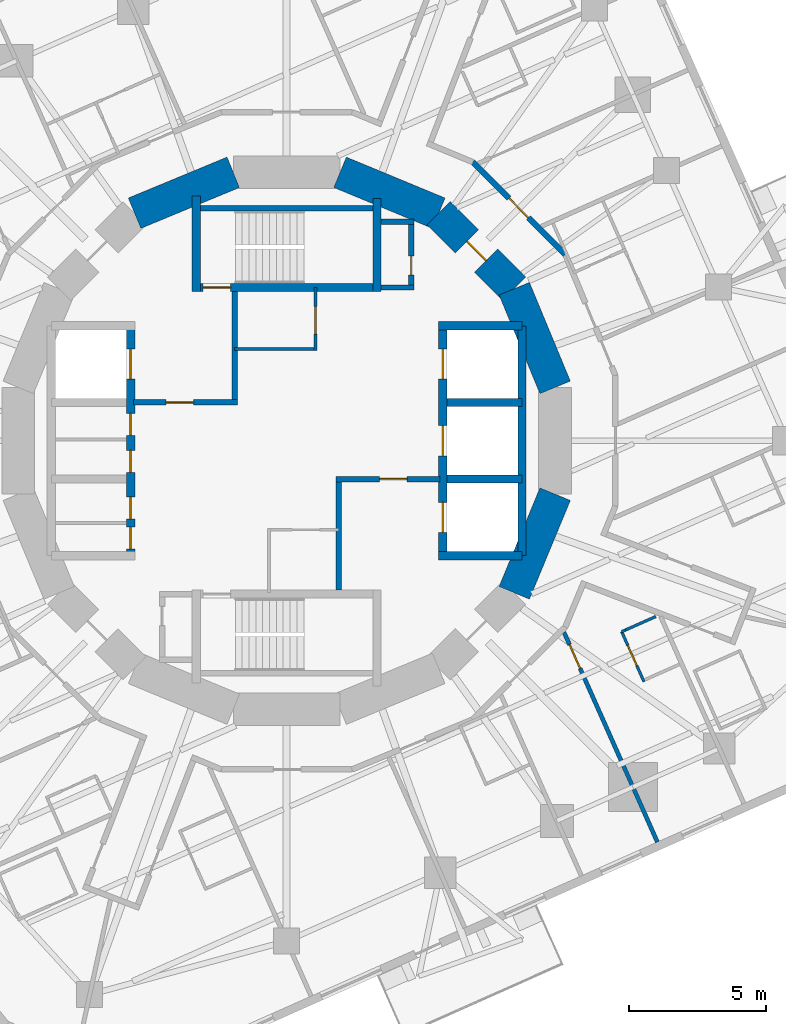
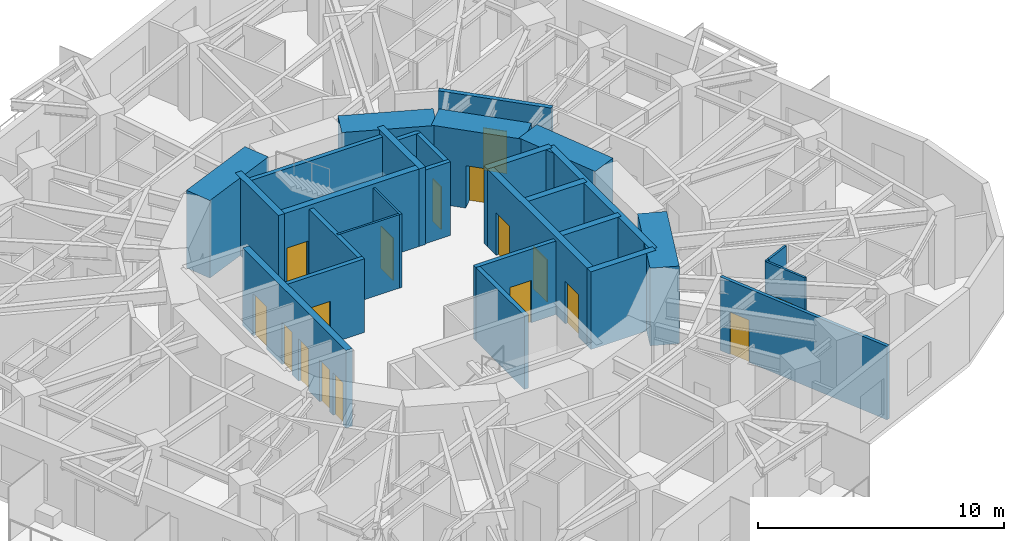
# One storey, part 7 of 12: 30 walls, 17 doors, 17 openings.
"""IFC4 building model written with IfcOpenShell, lengths in metres."""

from ifc_helpers import new_model, si_unit, direction, frame, frame_2d, origin, place, context, subcontext, project, spatial, rectangle, extrude, material, layer, layer_set, type_object, element, fill, save


model = new_model("IFC4")

# Units and contexts
model_context = context("Model", 3, precision=1e-05, world=origin(), true_north=direction((0.0, 1.0)))
body_context = subcontext(model_context, "Body", "Model", "MODEL_VIEW")
ifc_project = project(units=[si_unit("LENGTHUNIT", "METRE"), si_unit("AREAUNIT", "SQUARE_METRE"), si_unit("VOLUMEUNIT", "CUBIC_METRE"), si_unit("PLANEANGLEUNIT", "RADIAN"), si_unit("MASSUNIT", "GRAM", prefix="KILO")], contexts=[model_context])

# Site, building, storey
site_placement = place(None, origin())
site = spatial("IfcSite", under=ifc_project, at=site_placement, CompositionType="ELEMENT")
building_placement = place(site_placement, origin())
building = spatial("IfcBuilding", under=site, at=building_placement, Name="Nakasero Lantern House", CompositionType="ELEMENT")
storey_placement = place(building_placement, frame((0.0, 0.0, 205.550048828125)))
storey = spatial("IfcBuildingStorey", under=building, at=storey_placement, Name="L50", CompositionType="ELEMENT", Elevation=205.550048828125)

# Wall, openings, doors
ifc_material_1 = material(Name="Concrete C50/60", Category="concrete")
ifc_layer_1 = layer(ifc_material_1, 0.300048828125)
ifc_layer_set_1 = layer_set([ifc_layer_1], Name="Core inner wall 300")
wall_type_1 = type_object("IfcWallType", Name="Core inner wall 300", PredefinedType="SHEAR", material=ifc_layer_set_1)
wall_1_placement = place(storey_placement, frame((-5.699951171875, -4.199951171875, 0.0), z_axis=(0.0, 0.0, 1.0), x_axis=(0.0, 1.0, 0.0)))
wall_1 = element("IfcWall", 1, at=wall_1_placement, inside=storey, type_object=wall_type_1, Name="Core inner wall L50 LW", PredefinedType="SHEAR", context=body_context, shape_type="SweptSolid", body=[
    extrude(rectangle(XDim=8.39990234375, YDim=0.300048828125, at=frame_2d((4.199951171875, 0.0))), origin(), (0.0, 0.0, 1.0), 3.849853515625),
])
opening_1_placement = place(wall_1_placement, frame((0.25, 0.0, 0.0)))
opening_1 = element("IfcOpeningElement", 2, at=opening_1_placement, cuts=wall_1, Name="Opening D15", PredefinedType="OPENING", context=body_context, shape_type="SweptSolid", body=[
    extrude(rectangle(XDim=0.800048828125, YDim=2.10009765625, at=frame_2d((0.39990234375, 1.050048828125))), frame((0.0, 0.169921875, 0.0), z_axis=(0.0, -1.0, 0.0), x_axis=(1.0, 0.0, 0.0)), (0.0, 0.0, 1.0), 0.340087890625),
])
opening_2_placement = place(wall_1_placement, frame((1.35009765625, 0.0, 0.0)))
opening_2 = element("IfcOpeningElement", 3, at=opening_2_placement, cuts=wall_1, Name="Opening D15", PredefinedType="OPENING", context=body_context, shape_type="SweptSolid", body=[
    extrude(rectangle(XDim=0.800048828125, YDim=2.10009765625, at=frame_2d((0.39990234375, 1.050048828125))), frame((0.0, 0.169921875, 0.0), z_axis=(0.0, -1.0, 0.0), x_axis=(1.0, 0.0, 0.0)), (0.0, 0.0, 1.0), 0.340087890625),
])
opening_3_placement = place(wall_1_placement, frame((3.050048828125, 0.0, 0.0)))
opening_3 = element("IfcOpeningElement", 4, at=opening_3_placement, cuts=wall_1, Name="Opening D15", PredefinedType="OPENING", context=body_context, shape_type="SweptSolid", body=[
    extrude(rectangle(XDim=0.800048828125, YDim=2.10009765625, at=frame_2d((0.39990234375, 1.050048828125))), frame((0.0, 0.169921875, 0.0), z_axis=(0.0, -1.0, 0.0), x_axis=(1.0, 0.0, 0.0)), (0.0, 0.0, 1.0), 0.340087890625),
])
opening_4_placement = place(wall_1_placement, frame((4.39990234375, 0.0, 0.0)))
opening_4 = element("IfcOpeningElement", 5, at=opening_4_placement, cuts=wall_1, Name="Opening D15", PredefinedType="OPENING", context=body_context, shape_type="SweptSolid", body=[
    extrude(rectangle(XDim=0.800048828125, YDim=2.10009765625, at=frame_2d((0.39990234375, 1.050048828125))), frame((0.0, 0.169921875, 0.0), z_axis=(0.0, -1.0, 0.0), x_axis=(1.0, 0.0, 0.0)), (0.0, 0.0, 1.0), 0.340087890625),
])
opening_5_placement = place(wall_1_placement, frame((6.449951171875, 0.0, 0.0)))
opening_5 = element("IfcOpeningElement", 6, at=opening_5_placement, cuts=wall_1, Name="Opening LD", PredefinedType="OPENING", context=body_context, shape_type="SweptSolid", body=[
    extrude(rectangle(XDim=1.10009765625, YDim=2.10009765625, at=frame_2d((0.550048828125, 1.050048828125))), frame((0.0, 0.169921875, 0.0), z_axis=(0.0, -1.0, 0.0), x_axis=(1.0, 0.0, 0.0)), (0.0, 0.0, 1.0), 0.340087890625),
])
ifc_material_2 = material(Name="Timber C24", Category="wood")
door_type_1 = type_object("IfcDoorType", Name="Cleaner's store door FD30S 800", OperationType="SINGLE_SWING_LEFT", PredefinedType="DOOR", material=ifc_material_2)
door_1_placement = place(opening_1_placement, origin())
door_1 = element("IfcDoor", 7, at=door_1_placement, inside=storey, type_object=door_type_1, Name="Door L50 D-SH-LW1a", OperationType="SINGLE_SWING_LEFT", OverallHeight=2.10009765625, OverallWidth=0.800048828125, PredefinedType="DOOR", context=body_context, shape_type="SweptSolid", body=[
    extrude(rectangle(XDim=0.800048828125, YDim=2.10009765625, at=frame_2d((0.39990234375, 1.050048828125))), frame((0.0, 0.02490234375, 0.0), z_axis=(0.0, -1.0, 0.0), x_axis=(1.0, 0.0, 0.0)), (0.0, 0.0, 1.0), 0.050048828125),
])
fill(opening_1, door_1)
door_2_placement = place(opening_2_placement, origin())
door_2 = element("IfcDoor", 8, at=door_2_placement, inside=storey, type_object=door_type_1, Name="Door L50 D-SH-LW1b", OperationType="SINGLE_SWING_LEFT", OverallHeight=2.10009765625, OverallWidth=0.800048828125, PredefinedType="DOOR", context=body_context, shape_type="SweptSolid", body=[
    extrude(rectangle(XDim=0.800048828125, YDim=2.10009765625, at=frame_2d((0.39990234375, 1.050048828125))), frame((0.0, 0.02490234375, 0.0), z_axis=(0.0, -1.0, 0.0), x_axis=(1.0, 0.0, 0.0)), (0.0, 0.0, 1.0), 0.050048828125),
])
fill(opening_2, door_2)
door_3_placement = place(opening_3_placement, origin())
door_3 = element("IfcDoor", 9, at=door_3_placement, inside=storey, type_object=door_type_1, Name="Door L50 D-SH-LW2a", OperationType="SINGLE_SWING_LEFT", OverallHeight=2.10009765625, OverallWidth=0.800048828125, PredefinedType="DOOR", context=body_context, shape_type="SweptSolid", body=[
    extrude(rectangle(XDim=0.800048828125, YDim=2.10009765625, at=frame_2d((0.39990234375, 1.050048828125))), frame((0.0, 0.02490234375, 0.0), z_axis=(0.0, -1.0, 0.0), x_axis=(1.0, 0.0, 0.0)), (0.0, 0.0, 1.0), 0.050048828125),
])
fill(opening_3, door_3)
door_4_placement = place(opening_4_placement, origin())
door_4 = element("IfcDoor", 10, at=door_4_placement, inside=storey, type_object=door_type_1, Name="Door L50 D-SH-LW2b", OperationType="SINGLE_SWING_RIGHT", OverallHeight=2.10009765625, OverallWidth=0.800048828125, PredefinedType="DOOR", context=body_context, shape_type="SweptSolid", body=[
    extrude(rectangle(XDim=0.800048828125, YDim=2.10009765625, at=frame_2d((0.39990234375, 1.050048828125))), frame((0.0, 0.02490234375, 0.0), z_axis=(0.0, -1.0, 0.0), x_axis=(1.0, 0.0, 0.0)), (0.0, 0.0, 1.0), 0.050048828125),
])
fill(opening_4, door_4)
ifc_material_3 = material(Name="Steel S355", Category="steel")
door_type_2 = type_object("IfcDoorType", Name="Lift landing door E120 1100", OperationType="SLIDING_TO_LEFT", PredefinedType="DOOR", material=ifc_material_3)
door_5_placement = place(opening_5_placement, origin())
door_5 = element("IfcDoor", 11, at=door_5_placement, inside=storey, type_object=door_type_2, Name="Lift landing door LW3", OperationType="SLIDING_TO_LEFT", OverallHeight=2.10009765625, OverallWidth=1.10009765625, PredefinedType="DOOR", context=body_context, shape_type="SweptSolid", body=[
    extrude(rectangle(XDim=1.10009765625, YDim=2.10009765625, at=frame_2d((0.550048828125, 1.050048828125))), frame((0.0, 0.02490234375, 0.0), z_axis=(0.0, -1.0, 0.0), x_axis=(1.0, 0.0, 0.0)), (0.0, 0.0, 1.0), 0.050048828125),
])
fill(opening_5, door_5)

wall_2_placement = place(storey_placement, frame((5.699951171875, -4.199951171875, 0.0), z_axis=(0.0, 0.0, 1.0), x_axis=(0.0, 1.0, 0.0)))
wall_2 = element("IfcWall", 12, at=wall_2_placement, inside=storey, type_object=wall_type_1, Name="Core inner wall L50 LE", PredefinedType="SHEAR", context=body_context, shape_type="SweptSolid", body=[
    extrude(rectangle(XDim=8.39990234375, YDim=0.300048828125, at=frame_2d((4.199951171875, 0.0))), origin(), (0.0, 0.0, 1.0), 3.849853515625),
])
opening_6_placement = place(wall_2_placement, frame((0.85009765625, 0.0, 0.0)))
opening_6 = element("IfcOpeningElement", 13, at=opening_6_placement, cuts=wall_2, Name="Opening LD", PredefinedType="OPENING", context=body_context, shape_type="SweptSolid", body=[
    extrude(rectangle(XDim=1.10009765625, YDim=2.10009765625, at=frame_2d((0.550048828125, 1.050048828125))), frame((0.0, 0.169921875, 0.0), z_axis=(0.0, -1.0, 0.0), x_axis=(1.0, 0.0, 0.0)), (0.0, 0.0, 1.0), 0.340087890625),
])
opening_7_placement = place(wall_2_placement, frame((3.64990234375, 0.0, 0.0)))
opening_7 = element("IfcOpeningElement", 14, at=opening_7_placement, cuts=wall_2, Name="Opening LD", PredefinedType="OPENING", context=body_context, shape_type="SweptSolid", body=[
    extrude(rectangle(XDim=1.10009765625, YDim=2.10009765625, at=frame_2d((0.550048828125, 1.050048828125))), frame((0.0, 0.169921875, 0.0), z_axis=(0.0, -1.0, 0.0), x_axis=(1.0, 0.0, 0.0)), (0.0, 0.0, 1.0), 0.340087890625),
])
opening_8_placement = place(wall_2_placement, frame((6.449951171875, 0.0, 0.0)))
opening_8 = element("IfcOpeningElement", 15, at=opening_8_placement, cuts=wall_2, Name="Opening LD", PredefinedType="OPENING", context=body_context, shape_type="SweptSolid", body=[
    extrude(rectangle(XDim=1.10009765625, YDim=2.10009765625, at=frame_2d((0.550048828125, 1.050048828125))), frame((0.0, 0.169921875, 0.0), z_axis=(0.0, -1.0, 0.0), x_axis=(1.0, 0.0, 0.0)), (0.0, 0.0, 1.0), 0.340087890625),
])
door_6_placement = place(opening_6_placement, origin())
door_6 = element("IfcDoor", 16, at=door_6_placement, inside=storey, type_object=door_type_2, Name="Lift landing door LE1", OperationType="SLIDING_TO_LEFT", OverallHeight=2.10009765625, OverallWidth=1.10009765625, PredefinedType="DOOR", context=body_context, shape_type="SweptSolid", body=[
    extrude(rectangle(XDim=1.10009765625, YDim=2.10009765625, at=frame_2d((0.550048828125, 1.050048828125))), frame((0.0, 0.02490234375, 0.0), z_axis=(0.0, -1.0, 0.0), x_axis=(1.0, 0.0, 0.0)), (0.0, 0.0, 1.0), 0.050048828125),
])
fill(opening_6, door_6)
door_7_placement = place(opening_7_placement, origin())
door_7 = element("IfcDoor", 17, at=door_7_placement, inside=storey, type_object=door_type_2, Name="Lift landing door LE2", OperationType="SLIDING_TO_LEFT", OverallHeight=2.10009765625, OverallWidth=1.10009765625, PredefinedType="DOOR", context=body_context, shape_type="SweptSolid", body=[
    extrude(rectangle(XDim=1.10009765625, YDim=2.10009765625, at=frame_2d((0.550048828125, 1.050048828125))), frame((0.0, 0.02490234375, 0.0), z_axis=(0.0, -1.0, 0.0), x_axis=(1.0, 0.0, 0.0)), (0.0, 0.0, 1.0), 0.050048828125),
])
fill(opening_7, door_7)
door_8_placement = place(opening_8_placement, origin())
door_8 = element("IfcDoor", 18, at=door_8_placement, inside=storey, type_object=door_type_2, Name="Lift landing door LE3", OperationType="SLIDING_TO_LEFT", OverallHeight=2.10009765625, OverallWidth=1.10009765625, PredefinedType="DOOR", context=body_context, shape_type="SweptSolid", body=[
    extrude(rectangle(XDim=1.10009765625, YDim=2.10009765625, at=frame_2d((0.550048828125, 1.050048828125))), frame((0.0, 0.02490234375, 0.0), z_axis=(0.0, -1.0, 0.0), x_axis=(1.0, 0.0, 0.0)), (0.0, 0.0, 1.0), 0.050048828125),
])
fill(opening_8, door_8)

# Walls
for number, where, z_axis, x_axis, name in (
    (19, (5.550048828125, 4.199951171875, 0.0), (0.0, 0.0, 1.0), (1.0, 0.0, 0.0), "Core inner wall L50 LEN"),
    (20, (5.550048828125, -4.199951171875, 0.0), (0.0, 0.0, 1.0), (1.0, 0.0, 0.0), "Core inner wall L50 LES"),
):
    element("IfcWall", number, at=place(storey_placement, frame(where, z_axis=z_axis, x_axis=x_axis)), inside=storey, type_object=wall_type_1, Name=name, PredefinedType="SHEAR", context=body_context, shape_type="SweptSolid", body=[
        extrude(rectangle(XDim=3.050048828125, YDim=0.300048828125, at=frame_2d((1.52490234375, 0.0))), origin(), (0.0, 0.0, 1.0), 3.849853515625),
    ])
wall_3_placement = place(storey_placement, frame((8.60009765625, -4.199951171875, 0.0), z_axis=(0.0, 0.0, 1.0), x_axis=(0.0, 1.0, 0.0)))
element("IfcWall", 21, at=wall_3_placement, inside=storey, type_object=wall_type_1, Name="Core inner wall L50 LEB", PredefinedType="SHEAR", context=body_context, shape_type="SweptSolid", body=[
    extrude(rectangle(XDim=8.39990234375, YDim=0.300048828125, at=frame_2d((4.199951171875, 0.0))), origin(), (0.0, 0.0, 1.0), 3.849853515625),
])
for number, where, z_axis, x_axis, name in (
    (22, (5.85009765625, -1.39990234375, 0.0), (0.0, 0.0, 1.0), (1.0, 0.0, 0.0), "Core inner wall L50 LE1"),
    (23, (5.85009765625, 1.39990234375, 0.0), (0.0, 0.0, 1.0), (1.0, 0.0, 0.0), "Core inner wall L50 LE2"),
):
    element("IfcWall", number, at=place(storey_placement, frame(where, z_axis=z_axis, x_axis=x_axis)), inside=storey, type_object=wall_type_1, Name=name, PredefinedType="SHEAR", context=body_context, shape_type="SweptSolid", body=[
        extrude(rectangle(XDim=2.75, YDim=0.300048828125, at=frame_2d((1.375, 0.0))), origin(), (0.0, 0.0, 1.0), 3.849853515625),
    ])

# Wall, opening, door
wall_4_placement = place(storey_placement, frame((-3.449951171875, 5.60009765625, 0.0), z_axis=(0.0, 0.0, 1.0), x_axis=(1.0, 0.0, 0.0)))
wall_4 = element("IfcWall", 24, at=wall_4_placement, inside=storey, type_object=wall_type_1, Name="Core inner wall L50 SN", PredefinedType="SHEAR", context=body_context, shape_type="SweptSolid", body=[
    extrude(rectangle(XDim=6.89990234375, YDim=0.300048828125, at=frame_2d((3.449951171875, 0.0))), origin(), (0.0, 0.0, 1.0), 3.849853515625),
])
opening_9_placement = place(wall_4_placement, frame((0.39990234375, 0.0, 0.0)))
opening_9 = element("IfcOpeningElement", 25, at=opening_9_placement, cuts=wall_4, Name="Opening D05", PredefinedType="OPENING", context=body_context, shape_type="SweptSolid", body=[
    extrude(rectangle(XDim=1.0, YDim=2.10009765625, at=frame_2d((0.5, 1.050048828125))), frame((0.0, 0.169921875, 0.0), z_axis=(0.0, -1.0, 0.0), x_axis=(1.0, 0.0, 0.0)), (0.0, 0.0, 1.0), 0.340087890625),
])
ifc_material_4 = material(Name="Timber C24", Category="wood")
door_type_3 = type_object("IfcDoorType", Name="Core door FD60S 1000", OperationType="SINGLE_SWING_LEFT", PredefinedType="DOOR", material=ifc_material_4)
door_9_placement = place(opening_9_placement, origin())
door_9 = element("IfcDoor", 26, at=door_9_placement, inside=storey, type_object=door_type_3, Name="Door L50 D-ST1", OperationType="SINGLE_SWING_LEFT", OverallHeight=2.10009765625, OverallWidth=1.0, PredefinedType="DOOR", context=body_context, shape_type="SweptSolid", body=[
    extrude(rectangle(XDim=1.0, YDim=2.10009765625, at=frame_2d((0.5, 1.050048828125))), frame((0.0, 0.02490234375, 0.0), z_axis=(0.0, -1.0, 0.0), x_axis=(1.0, 0.0, 0.0)), (0.0, 0.0, 1.0), 0.050048828125),
])
fill(opening_9, door_9)

# Walls
wall_5_placement = place(storey_placement, frame((-3.300048828125, 5.449951171875, 0.0), z_axis=(0.0, 0.0, 1.0), x_axis=(0.0, 1.0, 0.0)))
element("IfcWall", 27, at=wall_5_placement, inside=storey, type_object=wall_type_1, Name="Core inner wall L50 SNW", PredefinedType="SHEAR", context=body_context, shape_type="SweptSolid", body=[
    extrude(rectangle(XDim=3.5, YDim=0.300048828125, at=frame_2d((1.75, 0.0))), origin(), (0.0, 0.0, 1.0), 3.849853515625),
])
wall_6_placement = place(storey_placement, frame((3.300048828125, 5.449951171875, 0.0), z_axis=(0.0, 0.0, 1.0), x_axis=(0.0, 1.0, 0.0)))
element("IfcWall", 28, at=wall_6_placement, inside=storey, type_object=wall_type_1, Name="Core inner wall L50 SNE", PredefinedType="SHEAR", context=body_context, shape_type="SweptSolid", body=[
    extrude(rectangle(XDim=3.400146484375, YDim=0.300048828125, at=frame_2d((1.7001953125, 0.0))), origin(), (0.0, 0.0, 1.0), 3.849853515625),
])
ifc_material_5 = material(Name="Blockwork", Category="masonry")
ifc_layer_2 = layer(ifc_material_5, 0.10009765625)
ifc_layer_set_2 = layer_set([ifc_layer_2], Name="Core room wall 100")
wall_type_2 = type_object("IfcWallType", Name="Core room wall 100", PredefinedType="PARTITIONING", material=ifc_layer_set_2)
wall_7_placement = place(storey_placement, frame((-1.89990234375, 3.35009765625, 0.0), z_axis=(0.0, 0.0, 1.0), x_axis=(1.0, 0.0, 0.0)))
element("IfcWall", 29, at=wall_7_placement, inside=storey, type_object=wall_type_2, Name="Core room wall L50 CR-NES", PredefinedType="PARTITIONING", context=body_context, shape_type="SweptSolid", body=[
    extrude(rectangle(XDim=3.0, YDim=0.10009765625, at=frame_2d((1.5, 0.0))), origin(), (0.0, 0.0, 1.0), 3.64990234375),
])

# Wall, opening, door
wall_8_placement = place(storey_placement, frame((1.050048828125, 3.300048828125, 0.0), z_axis=(0.0, 0.0, 1.0), x_axis=(0.0, 1.0, 0.0)))
wall_8 = element("IfcWall", 30, at=wall_8_placement, inside=storey, type_object=wall_type_2, Name="Core room wall L50 CR-NEE", PredefinedType="PARTITIONING", context=body_context, shape_type="SweptSolid", body=[
    extrude(rectangle(XDim=2.300048828125, YDim=0.10009765625, at=frame_2d((1.14990234375, 0.0))), origin(), (0.0, 0.0, 1.0), 3.64990234375),
])
opening_10_placement = place(wall_8_placement, frame((0.60009765625, 0.0, 0.0)))
opening_10 = element("IfcOpeningElement", 31, at=opening_10_placement, cuts=wall_8, Name="Opening D13", PredefinedType="OPENING", context=body_context, shape_type="SweptSolid", body=[
    extrude(rectangle(XDim=1.0, YDim=2.10009765625, at=frame_2d((0.5, 1.050048828125))), frame((0.0, 0.070068359375, 0.0), z_axis=(0.0, -1.0, 0.0), x_axis=(1.0, 0.0, 0.0)), (0.0, 0.0, 1.0), 0.14013671875),
])
ifc_material_6 = material(Name="Steel S355", Category="steel")
door_type_4 = type_object("IfcDoorType", Name="Plant room door FD60 1000", OperationType="SINGLE_SWING_LEFT", PredefinedType="DOOR", material=ifc_material_6)
door_10_placement = place(opening_10_placement, origin())
door_10 = element("IfcDoor", 32, at=door_10_placement, inside=storey, type_object=door_type_4, Name="Door L50 D-CR-NE", OperationType="SINGLE_SWING_LEFT", OverallHeight=2.10009765625, OverallWidth=1.0, PredefinedType="DOOR", context=body_context, shape_type="SweptSolid", body=[
    extrude(rectangle(XDim=1.0, YDim=2.10009765625, at=frame_2d((0.5, 1.050048828125))), frame((0.0, 0.02490234375, 0.0), z_axis=(0.0, -1.0, 0.0), x_axis=(1.0, 0.0, 0.0)), (0.0, 0.0, 1.0), 0.050048828125),
])
fill(opening_10, door_10)

# Wall
ifc_material_7 = material(Name="Concrete C50/60", Category="concrete")
ifc_layer_3 = layer(ifc_material_7, 1.199951171875)
ifc_layer_set_3 = layer_set([ifc_layer_3], Name="Core wall 1200")
wall_type_3 = type_object("IfcWallType", Name="Core wall 1200", PredefinedType="SHEAR", material=ifc_layer_set_3)
wall_9_placement = place(storey_placement, frame((9.807861328125, 1.950927734375, 0.0), z_axis=(0.0, 0.0, 1.0), x_axis=(-0.382690736062, 0.923876507187, 0.0)))
element("IfcWall", 33, at=wall_9_placement, inside=storey, type_object=wall_type_3, Name="Core wall L50 facet 1", PredefinedType="SHEAR", context=body_context, shape_type="SweptSolid", body=[
    extrude(rectangle(XDim=3.90185546875, YDim=1.199951171875, at=frame_2d((1.950927734375, 0.0))), origin(), (0.0, 0.0, 1.0), 3.849853515625),
])

# Wall, opening, door
wall_10_placement = place(storey_placement, frame((8.314697265625, 5.5556640625, 0.0), z_axis=(0.0, 0.0, 1.0), x_axis=(-0.707106781187, 0.707106781187, 0.0)))
wall_10 = element("IfcWall", 34, at=wall_10_placement, inside=storey, type_object=wall_type_3, Name="Core wall L50 facet 2", PredefinedType="SHEAR", context=body_context, shape_type="SweptSolid", body=[
    extrude(rectangle(XDim=3.90185546875, YDim=1.199951171875, at=frame_2d((1.950927734375, 0.0))), origin(), (0.0, 0.0, 1.0), 3.849853515625),
])
opening_11_placement = place(wall_10_placement, frame((1.450927734375, 0.0, 0.0)))
opening_11 = element("IfcOpeningElement", 35, at=opening_11_placement, cuts=wall_10, Name="Opening D05", PredefinedType="OPENING", context=body_context, shape_type="SweptSolid", body=[
    extrude(rectangle(XDim=1.0, YDim=2.10009765625, at=frame_2d((0.5, 1.050048828125))), frame((0.0, 0.619873046875, 0.0), z_axis=(0.0, -1.0, 0.0), x_axis=(1.0, 0.0, 0.0)), (0.0, 0.0, 1.0), 1.239990234375),
])
door_11_placement = place(opening_11_placement, origin())
door_11 = element("IfcDoor", 36, at=door_11_placement, inside=storey, type_object=door_type_3, Name="Door L50 D-CORE02", OperationType="SINGLE_SWING_LEFT", OverallHeight=2.10009765625, OverallWidth=1.0, PredefinedType="DOOR", context=body_context, shape_type="SweptSolid", body=[
    extrude(rectangle(XDim=1.0, YDim=2.10009765625, at=frame_2d((0.5, 1.050048828125))), frame((0.0, 0.02490234375, 0.0), z_axis=(0.0, -1.0, 0.0), x_axis=(1.0, 0.0, 0.0)), (0.0, 0.0, 1.0), 0.050048828125),
])
fill(opening_11, door_11)

# Walls
for number, where, z_axis, x_axis, name in (
    (37, (5.5556640625, 8.314697265625, 0.0), (0.0, 0.0, 1.0), (-0.923876507187, 0.382690736062, 0.0), "Core wall L50 facet 3"),
    (38, (-1.950927734375, 9.807861328125, 0.0), (0.0, 0.0, 1.0), (-0.923876507187, -0.382690736062, 0.0), "Core wall L50 facet 5"),
    (39, (8.314697265625, -5.5556640625, 0.0), (0.0, 0.0, 1.0), (0.382690736062, 0.923876507187, 0.0), "Core wall L50 facet 15"),
):
    element("IfcWall", number, at=place(storey_placement, frame(where, z_axis=z_axis, x_axis=x_axis)), inside=storey, type_object=wall_type_3, Name=name, PredefinedType="SHEAR", context=body_context, shape_type="SweptSolid", body=[
        extrude(rectangle(XDim=3.90185546875, YDim=1.199951171875, at=frame_2d((1.950927734375, 0.0))), origin(), (0.0, 0.0, 1.0), 3.849853515625),
    ])

# Wall, opening, door
ifc_material_8 = material(Name="Blockwork", Category="masonry")
ifc_layer_4 = layer(ifc_material_8, 0.199951171875)
ifc_layer_set_4 = layer_set([ifc_layer_4], Name="Corridor wall 200")
wall_type_4 = type_object("IfcWallType", Name="Corridor wall 200", PredefinedType="PARTITIONING", material=ifc_layer_set_4)
wall_11_placement = place(storey_placement, frame((6.802001953125, 10.1796875, 0.0), z_axis=(0.0, 0.0, 1.0), x_axis=(0.707106781187, -0.707106781187, 0.0)))
wall_11 = element("IfcWall", 40, at=wall_11_placement, inside=storey, type_object=wall_type_4, Name="Corridor wall L50 RC14a", PredefinedType="PARTITIONING", context=body_context, shape_type="SweptSolid", body=[
    extrude(rectangle(XDim=4.77685546875, YDim=0.199951171875, at=frame_2d((2.388427734375, 0.0))), origin(), (0.0, 0.0, 1.0), 3.64990234375),
])
opening_12_placement = place(wall_11_placement, frame((1.8701171875, 0.0, 0.0)))
opening_12 = element("IfcOpeningElement", 41, at=opening_12_placement, cuts=wall_11, Name="Opening D14", PredefinedType="OPENING", context=body_context, shape_type="SweptSolid", body=[
    extrude(rectangle(XDim=1.0, YDim=2.10009765625, at=frame_2d((0.5, 1.050048828125))), frame((0.0, 0.119873046875, 0.0), z_axis=(0.0, -1.0, 0.0), x_axis=(1.0, 0.0, 0.0)), (0.0, 0.0, 1.0), 0.239990234375),
])
ifc_material_9 = material(Name="Timber C24", Category="wood")
door_type_5 = type_object("IfcDoorType", Name="Cluster entrance door FD30S 1000", OperationType="SINGLE_SWING_LEFT", PredefinedType="DOOR", material=ifc_material_9)
door_12_placement = place(opening_12_placement, origin())
door_12 = element("IfcDoor", 42, at=door_12_placement, inside=storey, type_object=door_type_5, Name="Door L50 D0-04", OperationType="SINGLE_SWING_LEFT", OverallHeight=2.10009765625, OverallWidth=1.0, PredefinedType="DOOR", context=body_context, shape_type="SweptSolid", body=[
    extrude(rectangle(XDim=1.0, YDim=2.10009765625, at=frame_2d((0.5, 1.050048828125))), frame((0.0, 0.02490234375, 0.0), z_axis=(0.0, -1.0, 0.0), x_axis=(1.0, 0.0, 0.0)), (0.0, 0.0, 1.0), 0.050048828125),
])
fill(opening_12, door_12)

ifc_material_10 = material(Name="Blockwork", Category="masonry")
ifc_layer_5 = layer(ifc_material_10, 0.10009765625)
ifc_layer_set_5 = layer_set([ifc_layer_5], Name="En-suite wall 100")
wall_type_5 = type_object("IfcWallType", Name="En-suite wall 100", PredefinedType="PARTITIONING", material=ifc_layer_set_5)
wall_12_placement = place(storey_placement, frame((12.23974609375, -6.974853515625, 0.0), z_axis=(0.0, 0.0, 1.0), x_axis=(0.406727323635, -0.913549606868, 0.0)))
wall_12 = element("IfcWall", 43, at=wall_12_placement, inside=storey, type_object=wall_type_5, Name="En-suite wall L50 ES3-05", PredefinedType="PARTITIONING", context=body_context, shape_type="SweptSolid", body=[
    extrude(rectangle(XDim=2.0, YDim=0.10009765625, at=frame_2d((1.0, 0.0))), origin(), (0.0, 0.0, 1.0), 3.64990234375),
])
opening_13_placement = place(wall_12_placement, frame((0.550048828125, 0.0, 0.0)))
opening_13 = element("IfcOpeningElement", 44, at=opening_13_placement, cuts=wall_12, Name="Opening D02", PredefinedType="OPENING", context=body_context, shape_type="SweptSolid", body=[
    extrude(rectangle(XDim=0.800048828125, YDim=2.10009765625, at=frame_2d((0.39990234375, 1.050048828125))), frame((0.0, 0.070068359375, 0.0), z_axis=(0.0, -1.0, 0.0), x_axis=(1.0, 0.0, 0.0)), (0.0, 0.0, 1.0), 0.14013671875),
])
ifc_material_11 = material(Name="Timber C24", Category="wood")
door_type_6 = type_object("IfcDoorType", Name="En-suite door 800", OperationType="SINGLE_SWING_RIGHT", PredefinedType="DOOR", material=ifc_material_11)
door_13_placement = place(opening_13_placement, origin())
door_13 = element("IfcDoor", 45, at=door_13_placement, inside=storey, type_object=door_type_6, Name="Door L50 DE3-05", OperationType="SINGLE_SWING_LEFT", OverallHeight=2.10009765625, OverallWidth=0.800048828125, PredefinedType="DOOR", context=body_context, shape_type="SweptSolid", body=[
    extrude(rectangle(XDim=0.800048828125, YDim=2.10009765625, at=frame_2d((0.39990234375, 1.050048828125))), frame((0.0, 0.02490234375, 0.0), z_axis=(0.0, -1.0, 0.0), x_axis=(1.0, 0.0, 0.0)), (0.0, 0.0, 1.0), 0.050048828125),
])
fill(opening_13, door_13)

# Walls
wall_13_placement = place(storey_placement, frame((13.48681640625, -6.419677734375, 0.0), z_axis=(0.0, 0.0, 1.0), x_axis=(-0.913510535277, -0.406815070933, 0.0)))
element("IfcWall", 46, at=wall_13_placement, inside=storey, type_object=wall_type_5, Name="En-suite wall L50 EX003", PredefinedType="PARTITIONING", context=body_context, shape_type="SweptSolid", body=[
    extrude(rectangle(XDim=1.205078125, YDim=0.10009765625, at=frame_2d((0.6025390625, 0.0))), origin(), (0.0, 0.0, 1.0), 3.64990234375),
])
wall_14_placement = place(storey_placement, frame((12.23974609375, -6.974853515625, 0.0), z_axis=(0.0, 0.0, 1.0), x_axis=(0.913937341612, 0.405855313637, 0.0)))
element("IfcWall", 47, at=wall_14_placement, inside=storey, type_object=wall_type_5, Name="En-suite wall L50 ES3-05R0", PredefinedType="PARTITIONING", context=body_context, shape_type="SweptSolid", body=[
    extrude(rectangle(XDim=0.159912109375, YDim=0.10009765625, at=frame_2d((0.080078125, 0.0))), origin(), (0.0, 0.0, 1.0), 3.64990234375),
])

# Wall, opening, door
ifc_material_12 = material(Name="Blockwork", Category="masonry")
ifc_layer_6 = layer(ifc_material_12, 0.199951171875)
ifc_layer_set_6 = layer_set([ifc_layer_6], Name="Fire lobby wall 200")
wall_type_6 = type_object("IfcWallType", Name="Fire lobby wall 200", PredefinedType="PARTITIONING", material=ifc_layer_set_6)
wall_15_placement = place(storey_placement, frame((-5.60009765625, 1.39990234375, 0.0), z_axis=(0.0, 0.0, 1.0), x_axis=(1.0, 0.0, 0.0)))
wall_15 = element("IfcWall", 48, at=wall_15_placement, inside=storey, type_object=wall_type_6, Name="Fire lobby wall L50 W-FL1S", PredefinedType="PARTITIONING", context=body_context, shape_type="SweptSolid", body=[
    extrude(rectangle(XDim=3.800048828125, YDim=0.199951171875, at=frame_2d((1.89990234375, 0.0))), origin(), (0.0, 0.0, 1.0), 3.64990234375),
])
opening_14_placement = place(wall_15_placement, frame((1.199951171875, 0.0, 0.0)))
opening_14 = element("IfcOpeningElement", 49, at=opening_14_placement, cuts=wall_15, Name="Opening D05", PredefinedType="OPENING", context=body_context, shape_type="SweptSolid", body=[
    extrude(rectangle(XDim=1.0, YDim=2.10009765625, at=frame_2d((0.5, 1.050048828125))), frame((0.0, 0.119873046875, 0.0), z_axis=(0.0, -1.0, 0.0), x_axis=(1.0, 0.0, 0.0)), (0.0, 0.0, 1.0), 0.239990234375),
])
door_14_placement = place(opening_14_placement, origin())
door_14 = element("IfcDoor", 50, at=door_14_placement, inside=storey, type_object=door_type_3, Name="Door L50 D-FL1", OperationType="SINGLE_SWING_LEFT", OverallHeight=2.10009765625, OverallWidth=1.0, PredefinedType="DOOR", context=body_context, shape_type="SweptSolid", body=[
    extrude(rectangle(XDim=1.0, YDim=2.10009765625, at=frame_2d((0.5, 1.050048828125))), frame((0.0, 0.02490234375, 0.0), z_axis=(0.0, -1.0, 0.0), x_axis=(1.0, 0.0, 0.0)), (0.0, 0.0, 1.0), 0.050048828125),
])
fill(opening_14, door_14)

# Wall
wall_16_placement = place(storey_placement, frame((-1.89990234375, 1.5, 0.0), z_axis=(0.0, 0.0, 1.0), x_axis=(0.0, 1.0, 0.0)))
element("IfcWall", 51, at=wall_16_placement, inside=storey, type_object=wall_type_6, Name="Fire lobby wall L50 W-FL1E", PredefinedType="PARTITIONING", context=body_context, shape_type="SweptSolid", body=[
    extrude(rectangle(XDim=3.949951171875, YDim=0.199951171875, at=frame_2d((1.97509765625, 0.0))), origin(), (0.0, 0.0, 1.0), 3.64990234375),
])

# Wall, opening, door
wall_17_placement = place(storey_placement, frame((5.60009765625, -1.39990234375, 0.0), z_axis=(0.0, 0.0, 1.0), x_axis=(-1.0, 0.0, 0.0)))
wall_17 = element("IfcWall", 52, at=wall_17_placement, inside=storey, type_object=wall_type_6, Name="Fire lobby wall L50 W-FL2N", PredefinedType="PARTITIONING", context=body_context, shape_type="SweptSolid", body=[
    extrude(rectangle(XDim=3.800048828125, YDim=0.199951171875, at=frame_2d((1.89990234375, 0.0))), origin(), (0.0, 0.0, 1.0), 3.64990234375),
])
opening_15_placement = place(wall_17_placement, frame((1.199951171875, 0.0, 0.0)))
opening_15 = element("IfcOpeningElement", 53, at=opening_15_placement, cuts=wall_17, Name="Opening D05", PredefinedType="OPENING", context=body_context, shape_type="SweptSolid", body=[
    extrude(rectangle(XDim=1.0, YDim=2.10009765625, at=frame_2d((0.5, 1.050048828125))), frame((0.0, 0.119873046875, 0.0), z_axis=(0.0, -1.0, 0.0), x_axis=(1.0, 0.0, 0.0)), (0.0, 0.0, 1.0), 0.239990234375),
])
door_15_placement = place(opening_15_placement, origin())
door_15 = element("IfcDoor", 54, at=door_15_placement, inside=storey, type_object=door_type_3, Name="Door L50 D-FL2", OperationType="SINGLE_SWING_LEFT", OverallHeight=2.10009765625, OverallWidth=1.0, PredefinedType="DOOR", context=body_context, shape_type="SweptSolid", body=[
    extrude(rectangle(XDim=1.0, YDim=2.10009765625, at=frame_2d((0.5, 1.050048828125))), frame((0.0, 0.02490234375, 0.0), z_axis=(0.0, -1.0, 0.0), x_axis=(1.0, 0.0, 0.0)), (0.0, 0.0, 1.0), 0.050048828125),
])
fill(opening_15, door_15)

# Wall
wall_18_placement = place(storey_placement, frame((1.89990234375, -1.5, 0.0), z_axis=(0.0, 0.0, 1.0), x_axis=(0.0, -1.0, 0.0)))
element("IfcWall", 55, at=wall_18_placement, inside=storey, type_object=wall_type_6, Name="Fire lobby wall L50 W-FL2W", PredefinedType="PARTITIONING", context=body_context, shape_type="SweptSolid", body=[
    extrude(rectangle(XDim=3.949951171875, YDim=0.199951171875, at=frame_2d((1.97509765625, 0.0))), origin(), (0.0, 0.0, 1.0), 3.64990234375),
])

# Wall, opening, door
wall_19_placement = place(storey_placement, frame((4.550048828125, 5.60009765625, 0.0), z_axis=(0.0, 0.0, 1.0), x_axis=(0.0, 1.0, 0.0)))
wall_19 = element("IfcWall", 56, at=wall_19_placement, inside=storey, type_object=wall_type_6, Name="Fire lobby wall L50 W-RS1E", PredefinedType="PARTITIONING", context=body_context, shape_type="SweptSolid", body=[
    extrude(rectangle(XDim=2.39990234375, YDim=0.199951171875, at=frame_2d((1.199951171875, 0.0))), origin(), (0.0, 0.0, 1.0), 3.64990234375),
])
opening_16_placement = place(wall_19_placement, frame((0.449951171875, 0.0, 0.0)))
opening_16 = element("IfcOpeningElement", 57, at=opening_16_placement, cuts=wall_19, Name="Opening D06", PredefinedType="OPENING", context=body_context, shape_type="SweptSolid", body=[
    extrude(rectangle(XDim=0.699951171875, YDim=2.10009765625, at=frame_2d((0.35009765625, 1.050048828125))), frame((0.0, 0.119873046875, 0.0), z_axis=(0.0, -1.0, 0.0), x_axis=(1.0, 0.0, 0.0)), (0.0, 0.0, 1.0), 0.239990234375),
])
ifc_material_13 = material(Name="Steel S355", Category="steel")
door_type_7 = type_object("IfcDoorType", Name="Riser door FD60 700", OperationType="SINGLE_SWING_LEFT", PredefinedType="DOOR", material=ifc_material_13)
door_16_placement = place(opening_16_placement, origin())
door_16 = element("IfcDoor", 58, at=door_16_placement, inside=storey, type_object=door_type_7, Name="Door L50 D-RS1", OperationType="SINGLE_SWING_LEFT", OverallHeight=2.10009765625, OverallWidth=0.699951171875, PredefinedType="DOOR", context=body_context, shape_type="SweptSolid", body=[
    extrude(rectangle(XDim=0.699951171875, YDim=2.10009765625, at=frame_2d((0.35009765625, 1.050048828125))), frame((0.0, 0.02490234375, 0.0), z_axis=(0.0, -1.0, 0.0), x_axis=(1.0, 0.0, 0.0)), (0.0, 0.0, 1.0), 0.050048828125),
])
fill(opening_16, door_16)

# Walls
for number, where, z_axis, x_axis, name in (
    (59, (3.449951171875, 8.0, 0.0), (0.0, 0.0, 1.0), (1.0, 0.0, 0.0), "Fire lobby wall L50 W-RS1N"),
    (60, (3.449951171875, 5.60009765625, 0.0), (0.0, 0.0, 1.0), (1.0, 0.0, 0.0), "Fire lobby wall L50 W-RS1S"),
):
    element("IfcWall", number, at=place(storey_placement, frame(where, z_axis=z_axis, x_axis=x_axis)), inside=storey, type_object=wall_type_6, Name=name, PredefinedType="PARTITIONING", context=body_context, shape_type="SweptSolid", body=[
        extrude(rectangle(XDim=1.199951171875, YDim=0.199951171875, at=frame_2d((0.60009765625, 0.0))), origin(), (0.0, 0.0, 1.0), 3.64990234375),
    ])
wall_20_placement = place(storey_placement, frame((-3.300048828125, 8.5, 0.0), z_axis=(0.0, 0.0, 1.0), x_axis=(1.0, 0.0, 0.0)))
element("IfcWall", 61, at=wall_20_placement, inside=storey, type_object=wall_type_6, Name="Fire lobby wall L50 W-STN", PredefinedType="PARTITIONING", context=body_context, shape_type="SweptSolid", body=[
    extrude(rectangle(XDim=6.60009765625, YDim=0.199951171875, at=frame_2d((3.300048828125, 0.0))), origin(), (0.0, 0.0, 1.0), 3.64990234375),
])

# Wall, opening, door
ifc_material_14 = material(Name="Blockwork", Category="masonry")
ifc_layer_7 = layer(ifc_material_14, 0.14990234375)
ifc_layer_set_7 = layer_set([ifc_layer_7], Name="Party wall 150")
wall_type_7 = type_object("IfcWallType", Name="Party wall 150", PredefinedType="PARTITIONING", material=ifc_layer_set_7)
wall_21_placement = place(storey_placement, frame((10.130615234375, -6.99267578125, 0.0), z_axis=(0.0, 0.0, 1.0), x_axis=(0.406732255089, -0.913547411288, 0.0)))
wall_21 = element("IfcWall", 62, at=wall_21_placement, inside=storey, type_object=wall_type_7, Name="Party wall L50 PW3-05", PredefinedType="PARTITIONING", context=body_context, shape_type="SweptSolid", body=[
    extrude(rectangle(XDim=8.3916015625, YDim=0.14990234375, at=frame_2d((4.19580078125, 0.0))), origin(), (0.0, 0.0, 1.0), 3.64990234375),
])
opening_17_placement = place(wall_21_placement, frame((0.5, 0.0, 0.0)))
opening_17 = element("IfcOpeningElement", 63, at=opening_17_placement, cuts=wall_21, Name="Opening D01", PredefinedType="OPENING", context=body_context, shape_type="SweptSolid", body=[
    extrude(rectangle(XDim=0.949951171875, YDim=2.10009765625, at=frame_2d((0.47509765625, 1.050048828125))), frame((0.0, 0.094970703125, 0.0), z_axis=(0.0, -1.0, 0.0), x_axis=(1.0, 0.0, 0.0)), (0.0, 0.0, 1.0), 0.18994140625),
])
ifc_material_15 = material(Name="Timber C24", Category="wood")
door_type_8 = type_object("IfcDoorType", Name="Bedroom door FD30S 950", OperationType="SINGLE_SWING_LEFT", PredefinedType="DOOR", material=ifc_material_15)
door_17_placement = place(opening_17_placement, origin())
door_17 = element("IfcDoor", 64, at=door_17_placement, inside=storey, type_object=door_type_8, Name="Door L50 DS3-05", OperationType="SINGLE_SWING_LEFT", OverallHeight=2.10009765625, OverallWidth=0.949951171875, PredefinedType="DOOR", context=body_context, shape_type="SweptSolid", body=[
    extrude(rectangle(XDim=0.949951171875, YDim=2.10009765625, at=frame_2d((0.47509765625, 1.050048828125))), frame((0.0, 0.02490234375, 0.0), z_axis=(0.0, -1.0, 0.0), x_axis=(1.0, 0.0, 0.0)), (0.0, 0.0, 1.0), 0.050048828125),
])
fill(opening_17, door_17)

save(model, "model.ifc")
